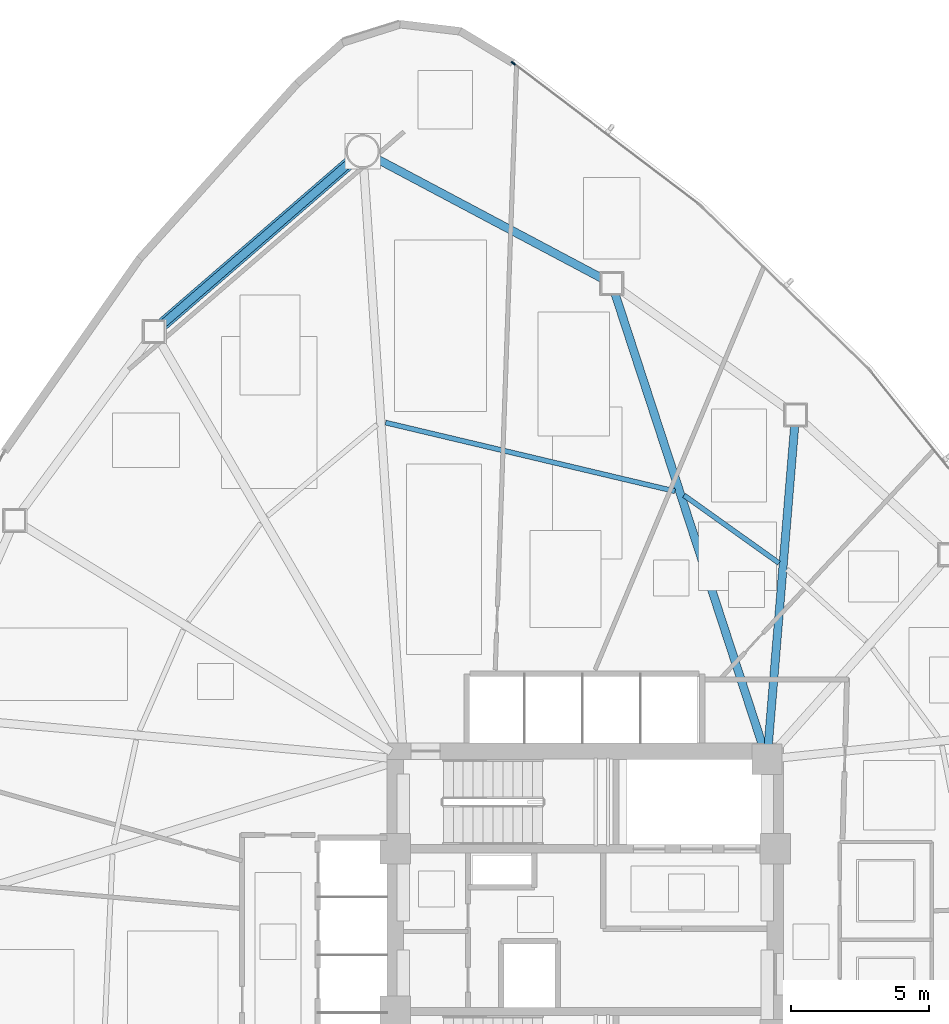
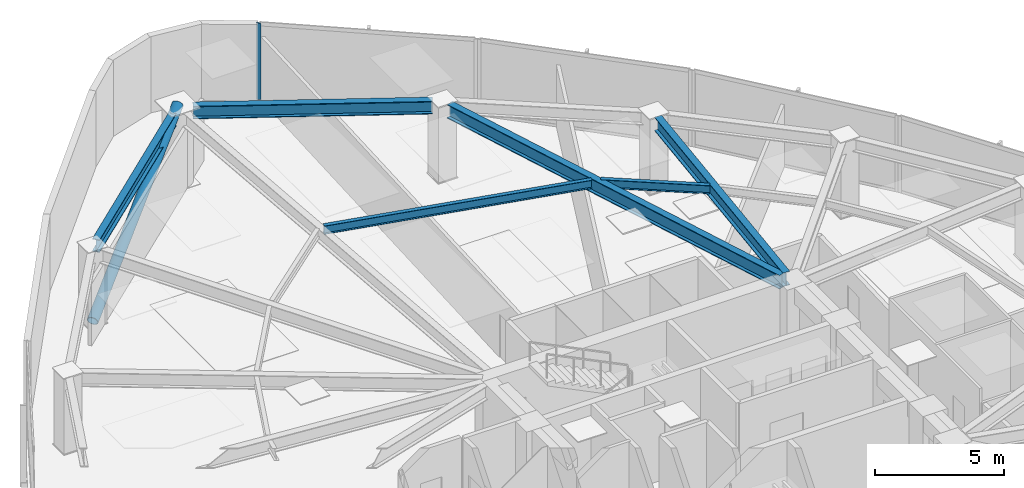
# One storey, part 9 of 18: 6 beams, 2 members, 1 element without a shape of its own.
"""IFC4 building model written with IfcOpenShell, lengths in metres."""

import ifcopenshell
import ifcopenshell.guid

model = None  # the IFC model being written
_history = None  # IfcOwnerHistory: only IFC2X3 demands one
_inside = {}  # id of a spatial element -> (the spatial element, [elements in it])
_under = {}  # id of a project, library or spatial element -> (it, [spatial elements below it])
_declared = {}  # id of a project -> (the project, [libraries it declares])
_typed = {}  # id of a type object -> (the type object, [elements of that type])
_made_of = {}  # id of a material, layer set ... -> (it, [elements and type objects made of it])


def new_model(schema):
    """Start an empty IFC model of exactly this schema.

    Asked for "IFC4X3", IfcOpenShell would pick the latest addendum, in which some entities
    have other attributes; the version numbers below select the first issue.
    IFC2X3 requires an IfcOwnerHistory on every rooted entity: one is made here for all.
    """
    global model, _history
    if schema == "IFC4X3":
        model = ifcopenshell.file(schema_version=(4, 3, 0, 0))
    else:
        model = ifcopenshell.file(schema=schema)
    _inside.clear()
    _under.clear()
    _declared.clear()
    _typed.clear()
    _made_of.clear()
    _history = None
    if model.schema == "IFC2X3":
        org = make("IfcOrganization", Name="unknown")
        user = make(
            "IfcPersonAndOrganization",
            ThePerson=make("IfcPerson", FamilyName="unknown"),
            TheOrganization=org,
        )
        app = make(
            "IfcApplication",
            ApplicationDeveloper=org,
            Version="unknown",
            ApplicationFullName="unknown",
            ApplicationIdentifier="unknown",
        )
        _history = make(
            "IfcOwnerHistory",
            OwningUser=user,
            OwningApplication=app,
            ChangeAction="ADDED",
            CreationDate=0,
        )
    return model


def make(cls, **values):
    """One entity of the class cls with the attributes given. An attribute that is None is left unset."""
    return model.create_entity(
        cls, **{name: value for name, value in values.items() if value is not None}
    )


def rooted(cls, **values):
    """An entity with a GlobalId (a new one), such as an element, a storey or a relation."""
    return make(cls, GlobalId=ifcopenshell.guid.new(), OwnerHistory=_history, **values)


def si_unit(unit_type, name, prefix=None):
    """IfcSIUnit, for example si_unit("LENGTHUNIT", "METRE", prefix="MILLI")."""
    return make("IfcSIUnit", UnitType=unit_type, Prefix=prefix, Name=name)


def assignment(units):
    """IfcUnitAssignment: the units of a project."""
    return None if units is None else make("IfcUnitAssignment", Units=units)


def point(xyz):
    """IfcCartesianPoint."""
    return None if xyz is None else make("IfcCartesianPoint", Coordinates=xyz)


def direction(xyz):
    """IfcDirection."""
    return None if xyz is None else make("IfcDirection", DirectionRatios=xyz)


def frame(location, z_axis=None, x_axis=None):
    """IfcAxis2Placement3D, a coordinate frame: its origin and axes. An axis left out is left unset."""
    return make(
        "IfcAxis2Placement3D",
        Location=point(location),
        Axis=direction(z_axis),
        RefDirection=direction(x_axis),
    )


def frame_2d(location, x_axis=None):
    """IfcAxis2Placement2D, a coordinate frame in the plane: its origin and x axis."""
    return make(
        "IfcAxis2Placement2D", Location=point(location), RefDirection=direction(x_axis)
    )


def origin():
    """The frame at (0, 0, 0) with its axes left unset."""
    return frame((0.0, 0.0, 0.0))


def origin_2d():
    """The frame at (0, 0) in the plane with its x axis left unset."""
    return frame_2d((0.0, 0.0))


def place(relative_to, where):
    """IfcLocalPlacement: puts the frame where relative to a parent placement (None: the world)."""
    return make(
        "IfcLocalPlacement", PlacementRelTo=relative_to, RelativePlacement=where
    )


def context(
    kind, dimensions, precision=None, world=None, true_north=None, identifier=None
):
    """IfcGeometricRepresentationContext, for example the 3D "Model" context."""
    return make(
        "IfcGeometricRepresentationContext",
        ContextIdentifier=identifier,
        ContextType=kind,
        CoordinateSpaceDimension=dimensions,
        Precision=precision,
        WorldCoordinateSystem=world,
        TrueNorth=true_north,
    )


def subcontext(parent, identifier, kind, view, scale=None):
    """IfcGeometricRepresentationSubContext, for example "Body" below "Model"."""
    return make(
        "IfcGeometricRepresentationSubContext",
        ContextIdentifier=identifier,
        ContextType=kind,
        ParentContext=parent,
        TargetScale=scale,
        TargetView=view,
    )


def project(units=None, contexts=None):
    """IfcProject with its units and contexts."""
    return rooted(
        "IfcProject",
        Name="project",
        RepresentationContexts=contexts,
        UnitsInContext=assignment(units),
    )


def spatial(cls, under=None, at=None, **own):
    """A site, building, storey or space (cls), placed at a placement, below another one or the project."""
    s = rooted(cls, ObjectPlacement=at, **own)
    if under is not None:
        _under.setdefault(under.id(), (under, []))[1].append(s)
    return s


def profile(cls, at=None, kind="AREA", **sizes):
    """A parametric profile (cls). Its sizes go by their IFC names, for example OverallWidth=200.0."""
    return make(cls, ProfileType=kind, Position=at, **sizes)


def hollow_rectangle(**sizes):
    """IfcRectangleHollowProfileDef."""
    return profile("IfcRectangleHollowProfileDef", **sizes)


def hollow_circle(**sizes):
    """IfcCircleHollowProfileDef."""
    return profile("IfcCircleHollowProfileDef", **sizes)


def i_section(**sizes):
    """IfcIShapeProfileDef."""
    return profile("IfcIShapeProfileDef", **sizes)


def extrude(swept, where, along, depth):
    """IfcExtrudedAreaSolid: the profile swept, set in the frame where, extruded along a direction by depth."""
    return make(
        "IfcExtrudedAreaSolid",
        SweptArea=swept,
        Position=where,
        ExtrudedDirection=direction(along),
        Depth=depth,
    )


def shape(context_of_items, identifier, shape_type, items):
    """IfcShapeRepresentation: the items that make up one representation, for example the "Body"."""
    return make(
        "IfcShapeRepresentation",
        ContextOfItems=context_of_items,
        RepresentationIdentifier=identifier,
        RepresentationType=shape_type,
        Items=items,
    )


def source(mapping_origin, context_of_items, identifier, shape_type, items):
    """IfcRepresentationMap: a shape defined once, which mapped items show again and again."""
    return make(
        "IfcRepresentationMap",
        MappingOrigin=mapping_origin,
        MappedRepresentation=shape(context_of_items, identifier, shape_type, items),
    )


def transform(
    local_origin,
    x_axis=None,
    y_axis=None,
    z_axis=None,
    scale=None,
    scale2=None,
    scale3=None,
    uniform=True,
):
    """IfcCartesianTransformationOperator3D, or its non-uniform kind. x_axis, y_axis, z_axis: its Axis1, 2, 3."""
    if uniform:
        return make(
            "IfcCartesianTransformationOperator3D",
            Axis1=direction(x_axis),
            Axis2=direction(y_axis),
            LocalOrigin=point(local_origin),
            Scale=scale,
            Axis3=direction(z_axis),
        )
    return make(
        "IfcCartesianTransformationOperator3DnonUniform",
        Axis1=direction(x_axis),
        Axis2=direction(y_axis),
        LocalOrigin=point(local_origin),
        Scale=scale,
        Axis3=direction(z_axis),
        Scale2=scale2,
        Scale3=scale3,
    )


def mapped(mapping_source, mapping_target):
    """IfcMappedItem: shows the shape of a source again, moved by a transform."""
    return make(
        "IfcMappedItem", MappingSource=mapping_source, MappingTarget=mapping_target
    )


def material(Name=None, Category=None):
    """IfcMaterial."""
    return make("IfcMaterial", Name=Name, Category=Category)


def layer(
    of_material, thickness, ventilated=None, Name=None, Category=None, Priority=None
):
    """IfcMaterialLayer: one layer of a wall or slab, of a material (None: an air gap)."""
    return make(
        "IfcMaterialLayer",
        Material=of_material,
        LayerThickness=thickness,
        IsVentilated=ventilated,
        Name=Name,
        Category=Category,
        Priority=Priority,
    )


def layer_set(layers, Name=None):
    """IfcMaterialLayerSet."""
    return make("IfcMaterialLayerSet", MaterialLayers=layers, LayerSetName=Name)


def material_profile(
    of_material, cross_section, Name=None, Category=None, Priority=None
):
    """IfcMaterialProfile: a cross section and its material."""
    return make(
        "IfcMaterialProfile",
        Name=Name,
        Material=of_material,
        Profile=cross_section,
        Priority=Priority,
        Category=Category,
    )


def profile_set(profiles, Name=None, composite=None):
    """IfcMaterialProfileSet."""
    return make(
        "IfcMaterialProfileSet",
        Name=Name,
        MaterialProfiles=profiles,
        CompositeProfile=composite,
    )


def made_of(thing, what):
    """Note that an element or type object is made of a material, layer set ...; save() writes the relation."""
    if what is not None:
        _made_of.setdefault(what.id(), (what, []))[1].append(thing)
    return thing


def type_object(cls, material=None, **own):
    """A type object (cls), such as IfcWallType, which elements share."""
    return made_of(rooted(cls, **own), material)


def type_shapes(of_type, sources):
    """Give a type object the sources (RepresentationMaps) that its elements show as mapped items."""
    of_type.RepresentationMaps = sources


def element(
    cls,
    number,
    at=None,
    inside=None,
    cuts=None,
    type_object=None,
    material=None,
    context=None,
    identifier="Body",
    shape_type=None,
    held_by="IfcProductDefinitionShape",
    body=None,
    shapes=None,
    **own,
):
    """One element of the class cls, such as IfcWall. Its Tag is "e" and its number.

    at: its placement. inside: the storey or other place that contains it. cuts: it is an
    opening in that element (IfcRelVoidsElement). A single representation is given by context,
    identifier, shape_type and body (its items); several are given by shapes. held_by: the class
    of the entity that holds the representations. save() writes the other relations.
    """
    e = rooted(cls, Tag="e%d" % number, ObjectPlacement=at, **own)
    if body is not None:
        shapes = [shape(context, identifier, shape_type, body)]
    if shapes is not None:
        e.Representation = make(held_by, Representations=shapes)
    if inside is not None:
        _inside.setdefault(inside.id(), (inside, []))[1].append(e)
    if cuts is not None:
        rooted(
            "IfcRelVoidsElement", RelatingBuildingElement=cuts, RelatedOpeningElement=e
        )
    if type_object is not None:
        _typed.setdefault(type_object.id(), (type_object, []))[1].append(e)
    return made_of(e, material)


def aggregate(whole, parts):
    """IfcRelAggregates: a whole, such as a stair, and the parts it consists of."""
    return rooted("IfcRelAggregates", RelatingObject=whole, RelatedObjects=parts)


def save(model, path):
    """Write the relations noted so far, then the file.

    IfcRelAggregates (storeys below a building ...), IfcRelContainedInSpatialStructure (elements
    in a storey), IfcRelDefinesByType, IfcRelAssociatesMaterial and IfcRelDeclares: one each for
    every whole, place, type object, material and project.
    """
    for whole, parts in _under.values():
        aggregate(whole, parts)
    for where, things in _inside.values():
        rooted(
            "IfcRelContainedInSpatialStructure",
            RelatedElements=things,
            RelatingStructure=where,
        )
    for kind, things in _typed.values():
        rooted("IfcRelDefinesByType", RelatedObjects=things, RelatingType=kind)
    for what, things in _made_of.values():
        rooted("IfcRelAssociatesMaterial", RelatedObjects=things, RelatingMaterial=what)
    for by, libraries in _declared.values():
        rooted("IfcRelDeclares", RelatingContext=by, RelatedDefinitions=libraries)
    model.write(path)


model = new_model("IFC4")

# Units and contexts
model_context = context("Model", 3, precision=1e-05, world=origin(), true_north=direction((0.0, 1.0)))
body_context = subcontext(model_context, "Body", "Model", "MODEL_VIEW")
ifc_project = project(units=[si_unit("LENGTHUNIT", "METRE"), si_unit("AREAUNIT", "SQUARE_METRE"), si_unit("VOLUMEUNIT", "CUBIC_METRE"), si_unit("PLANEANGLEUNIT", "RADIAN"), si_unit("MASSUNIT", "GRAM", prefix="KILO")], contexts=[model_context])

# Site, building, storey
site_placement = place(None, origin())
site = spatial("IfcSite", under=ifc_project, at=site_placement, CompositionType="ELEMENT")
building_placement = place(site_placement, origin())
building = spatial("IfcBuilding", under=site, at=building_placement, Name="Tavelor Broadcast Tower", CompositionType="ELEMENT")
storey_placement = place(building_placement, frame((0.0, 0.0, 47.10009765625)))
storey = spatial("IfcBuildingStorey", under=building, at=storey_placement, Name="L10", CompositionType="ELEMENT", Elevation=47.10009765625)

# Beams
ifc_material_1 = material(Name="Steel S355", Category="steel")
ifc_material_profile_1 = material_profile(ifc_material_1, i_section(OverallWidth=0.179931640625, OverallDepth=0.39990234375, WebThickness=0.008544921875, FlangeThickness=0.013427734375, at=origin_2d()), Name="IPE 400")
ifc_profile_set_1 = profile_set([ifc_material_profile_1], Name="Steel S355")
beam_type_1 = type_object("IfcBeamType", Name="Composite Floor Joist T1 IPE 400", PredefinedType="JOIST", material=ifc_profile_set_1)
beam_1_placement = place(storey_placement, frame((57.03369140625, 58.321044921875, 3.39990234375), z_axis=(-0.814052615916, 0.580791131579, 0.0), x_axis=(-0.580791131579, -0.814052615916, 0.0)))
element("IfcBeam", 1, at=beam_1_placement, inside=storey, type_object=beam_type_1, Name="L10 Secondary Composite Floor Joist 17", PredefinedType="JOIST", context=body_context, shape_type="SweptSolid", body=[
    extrude(i_section(OverallWidth=0.179931640625, OverallDepth=0.39990234375, WebThickness=0.008544921875, FlangeThickness=0.013427734375, at=origin_2d()), origin(), (0.0, 0.0, 1.0), 4.23681640625),
])
beam_2_placement = place(storey_placement, frame((53.260986328125, 60.9287109375, 3.39990234375), z_axis=(-0.973012053378, 0.230754293526, 0.0), x_axis=(-0.230754293526, -0.973012053378, 0.0)))
element("IfcBeam", 2, at=beam_2_placement, inside=storey, type_object=beam_type_1, Name="L10 Secondary Composite Floor Joist 18", PredefinedType="JOIST", context=body_context, shape_type="SweptSolid", body=[
    extrude(i_section(OverallWidth=0.179931640625, OverallDepth=0.39990234375, WebThickness=0.008544921875, FlangeThickness=0.013427734375, at=origin_2d()), origin(), (0.0, 0.0, 1.0), 10.797119140625),
])
ifc_material_profile_2 = material_profile(ifc_material_1, i_section(OverallWidth=0.300048828125, OverallDepth=0.60009765625, WebThickness=0.015380859375, FlangeThickness=0.030029296875, at=origin_2d()), Name="HEB 600")
ifc_profile_set_2 = profile_set([ifc_material_profile_2], Name="Steel S355")
beam_type_2 = type_object("IfcBeamType", Name="Perimeter Spandrel Beam T1 HEB 600", PredefinedType="SPANDREL", material=ifc_profile_set_2)
beam_3_placement = place(storey_placement, frame((41.48046875, 72.8837890625, 3.2998046875), z_axis=(-0.756663126242, -0.653804950566, 0.0), x_axis=(0.653804950566, -0.756663126242, 0.0)))
element("IfcBeam", 3, at=beam_3_placement, inside=storey, type_object=beam_type_2, Name="L10 Framed-Tube Ring Spandrel 01", PredefinedType="SPANDREL", context=body_context, shape_type="SweptSolid", body=[
    extrude(i_section(OverallWidth=0.300048828125, OverallDepth=0.60009765625, WebThickness=0.015380859375, FlangeThickness=0.030029296875, at=origin_2d()), origin(), (0.0, 0.0, 1.0), 9.031494140625),
])
beam_4_placement = place(storey_placement, frame((50.62255859375, 68.648681640625, 3.2998046875), z_axis=(-0.883283542259, 0.468839187755, 0.0), x_axis=(-0.468839187755, -0.883283542259, 0.0)))
element("IfcBeam", 4, at=beam_4_placement, inside=storey, type_object=beam_type_2, Name="L10 Framed-Tube Ring Spandrel 18", PredefinedType="SPANDREL", context=body_context, shape_type="SweptSolid", body=[
    extrude(i_section(OverallWidth=0.300048828125, OverallDepth=0.60009765625, WebThickness=0.015380859375, FlangeThickness=0.030029296875, at=origin_2d()), origin(), (0.0, 0.0, 1.0), 9.263916015625),
])

# Member
ifc_material_profile_3 = material_profile(ifc_material_1, hollow_circle(Radius=0.228515625, WallThickness=0.02001953125, at=origin_2d()), Name="CHS 457x20")
ifc_profile_set_3 = profile_set([ifc_material_profile_3], Name="Steel S355")
member_type_1 = type_object("IfcMemberType", Name="Perimeter Tube Brace T1 CHS 457x20", PredefinedType="BRACE", material=ifc_profile_set_3)
member_1_placement = place(storey_placement, frame((34.356201171875, 66.727783203125, 0.0), z_axis=(0.711928728007, 0.615179557123, 0.338691007758), x_axis=(-0.653821967179, 0.756648422475, 0.0)))
element("IfcMember", 5, at=member_1_placement, inside=storey, type_object=member_type_1, Name="L10 Corner Tube Diagonal Brace 1", PredefinedType="BRACE", context=body_context, shape_type="SweptSolid", body=[
    extrude(hollow_circle(Radius=0.228515625, WallThickness=0.02001953125, at=origin_2d()), origin(), (0.0, 0.0, 1.0), 10.628662109375),
])

# Beams
ifc_material_profile_4 = material_profile(ifc_material_1, i_section(OverallWidth=0.300048828125, OverallDepth=0.64990234375, WebThickness=0.01611328125, FlangeThickness=0.031005859375, at=origin_2d()), Name="HEB 650")
ifc_profile_set_4 = profile_set([ifc_material_profile_4], Name="Steel S355")
beam_type_3 = type_object("IfcBeamType", Name="Radial Floor Girder T1 HEB 650", PredefinedType="BEAM", material=ifc_profile_set_4)
beam_5_placement = place(storey_placement, frame((56.6435546875, 51.726318359375, 3.27490234375), z_axis=(0.08251031281, 0.996590210809, 0.0), x_axis=(-0.996590210809, 0.08251031281, 0.0)))
element("IfcBeam", 6, at=beam_5_placement, inside=storey, type_object=beam_type_3, Name="L10 Radial Primary Floor Girder 17", PredefinedType="BEAM", context=body_context, shape_type="SweptSolid", body=[
    extrude(i_section(OverallWidth=0.300048828125, OverallDepth=0.64990234375, WebThickness=0.01611328125, FlangeThickness=0.031005859375, at=origin_2d()), origin(), (0.0, 0.0, 1.0), 11.62841796875),
])
beam_6_placement = place(storey_placement, frame((56.43603515625, 51.701904296875, 3.27490234375), z_axis=(-0.310367857535, 0.950616533103, 0.0), x_axis=(-0.950616533103, -0.310367857535, 0.0)))
element("IfcBeam", 7, at=beam_6_placement, inside=storey, type_object=beam_type_3, Name="L10 Radial Primary Floor Girder 18", PredefinedType="BEAM", context=body_context, shape_type="SweptSolid", body=[
    extrude(i_section(OverallWidth=0.300048828125, OverallDepth=0.64990234375, WebThickness=0.01611328125, FlangeThickness=0.031005859375, at=origin_2d()), origin(), (0.0, 0.0, 1.0), 17.253662109375),
])

# Curtain wall, member
ifc_material_2 = material(Name="Architectural Anodized Aluminium", Category="aluminium")
ifc_layer = layer(ifc_material_2, 0.179931640625)
ifc_layer_set = layer_set([ifc_layer], Name="Architectural Anodized Aluminium")
curtain_wall_type = type_object("IfcCurtainWallType", Name="Tower Low-Zone Unitised Curtain Wall CW02", PredefinedType="NOTDEFINED", material=ifc_layer_set)
curtain_wall_placement = place(storey_placement, origin())
curtain_wall = element("IfcCurtainWall", 8, at=curtain_wall_placement, inside=storey, type_object=curtain_wall_type, Name="L10 Curtain Wall CW02 Run 84", PredefinedType="NOTDEFINED")
ifc_material_profile_5 = material_profile(ifc_material_2, hollow_rectangle(XDim=0.06494140625, YDim=0.179931640625, WallThickness=0.02197265625, at=origin_2d()), Name="RHS 65x180x22")
ifc_profile_set_5 = profile_set([ifc_material_profile_5], Name="Architectural Anodized Aluminium")
member_type_2 = type_object("IfcMemberType", Name="CW02 Extruded Aluminium Mullion 65x180", PredefinedType="MULLION", material=ifc_profile_set_5)
shared_shape = source(origin(), body_context, "Body", "SweptSolid", [
    extrude(hollow_rectangle(XDim=0.06494140625, YDim=0.179931640625, WallThickness=0.02197265625, at=origin_2d()), origin(), (0.0, 0.0, 1.0), 3.599853515625),
])
type_shapes(member_type_2, [shared_shape])
member_2_placement = place(storey_placement, frame((47.388916015625, 76.463623046875, 0.0), z_axis=(0.0, 0.0, 1.0), x_axis=(-0.604938607989, -0.796272114647, 0.0)))
member_2 = element("IfcMember", 9, at=member_2_placement, type_object=member_type_2, Name="CW02 mullion 2", PredefinedType="MULLION", context=body_context, shape_type="MappedRepresentation", body=[
    mapped(shared_shape, transform((0.0, 0.0, 0.0), scale=1.0)),
])
aggregate(curtain_wall, [member_2])

save(model, "model.ifc")
